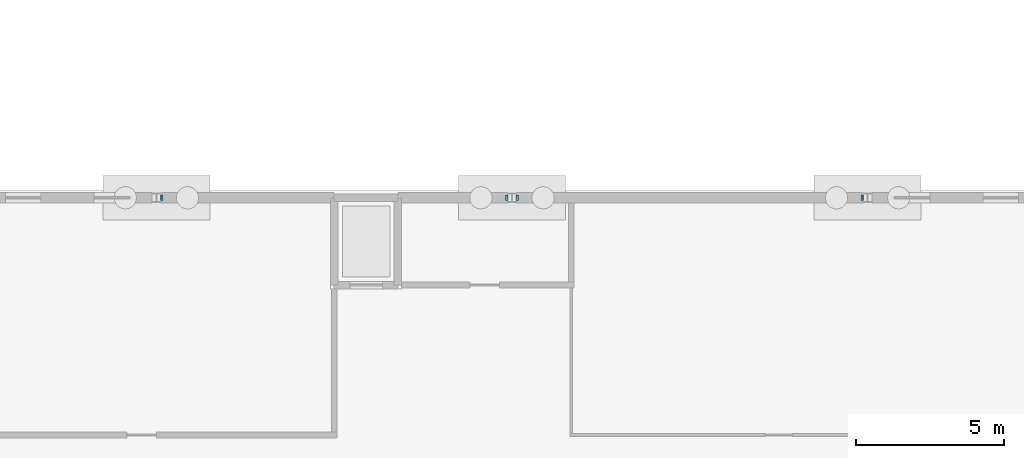
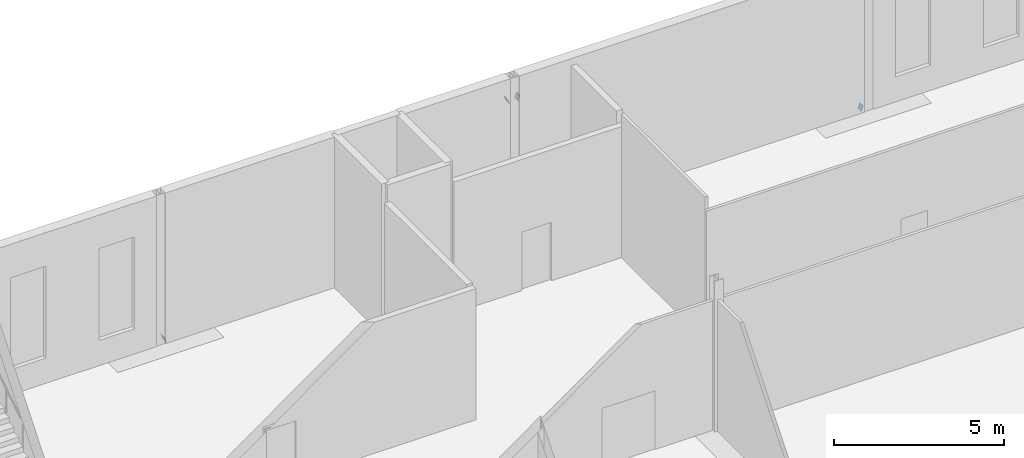
# One storey, part 110 of 132: 4 discrete accessories.
"""IFC4 building model written with IfcOpenShell, lengths in metres."""

from ifc_helpers import new_model, si_unit, direction, frame, origin, origin_2d, place, context, subcontext, project, spatial, rectangle, extrude, material, material_profile, profile_set, type_object, element, save


model = new_model("IFC4")

# Units and contexts
model_context = context("Model", 3, precision=1e-05, world=origin(), true_north=direction((0.0, 1.0)))
body_context = subcontext(model_context, "Body", "Model", "MODEL_VIEW")
ifc_project = project(units=[si_unit("LENGTHUNIT", "METRE"), si_unit("AREAUNIT", "SQUARE_METRE"), si_unit("VOLUMEUNIT", "CUBIC_METRE"), si_unit("PLANEANGLEUNIT", "RADIAN"), si_unit("MASSUNIT", "GRAM", prefix="KILO")], contexts=[model_context])

# Site, building, storey
site_placement = place(None, origin())
site = spatial("IfcSite", under=ifc_project, at=site_placement, CompositionType="ELEMENT")
building_placement = place(site_placement, origin())
building = spatial("IfcBuilding", under=site, at=building_placement, Name="Ravi Spectrum Wholesale Market", CompositionType="ELEMENT")
storey_placement = place(building_placement, origin())
storey = spatial("IfcBuildingStorey", under=building, at=storey_placement, Name="L00", CompositionType="ELEMENT", Elevation=0.0)

# Discrete accessories
ifc_material = material(Name="Steel S355", Category="steel")
ifc_material_profile = material_profile(ifc_material, rectangle(XDim=0.199951171875, YDim=0.199951171875, at=origin_2d()))
ifc_profile_set = profile_set([ifc_material_profile], Name="Steel S355")
discrete_accessory_type = type_object("IfcDiscreteAccessoryType", Name="End plate SHS 200x200x8", PredefinedType="BRACKET", material=ifc_profile_set)
for number, where, z_axis, x_axis, name in (
    (1, (24.185791015625, 234.0, 0.09326171875), (-0.937994498829, 0.0, -0.346650140872), (0.0, -1.0, 0.0), "End plate"),
    (2, (35.814208984375, 234.0, 4.556640625), (0.931242779706, 0.0, 0.364399348581), (0.0, 1.0, 0.0), "End plate"),
    (3, (36.185791015625, 234.0, 4.556640625), (-0.931242779706, 0.0, 0.364399348581), (0.0, -1.0, 0.0), "End plate"),
    (4, (47.814208984375, 234.0, 0.09326171875), (0.937994498829, 0.0, -0.346650140872), (0.0, 1.0, 0.0), "End plate"),
):
    element("IfcDiscreteAccessory", number, at=place(storey_placement, frame(where, z_axis=z_axis, x_axis=x_axis)), inside=storey, type_object=discrete_accessory_type, Name=name, PredefinedType="BRACKET", context=body_context, shape_type="SweptSolid", body=[
        extrude(rectangle(XDim=0.199951171875, YDim=0.199951171875, at=origin_2d()), origin(), (0.0, 0.0, 1.0), 0.011962890625),
    ])

save(model, "model.ifc")
